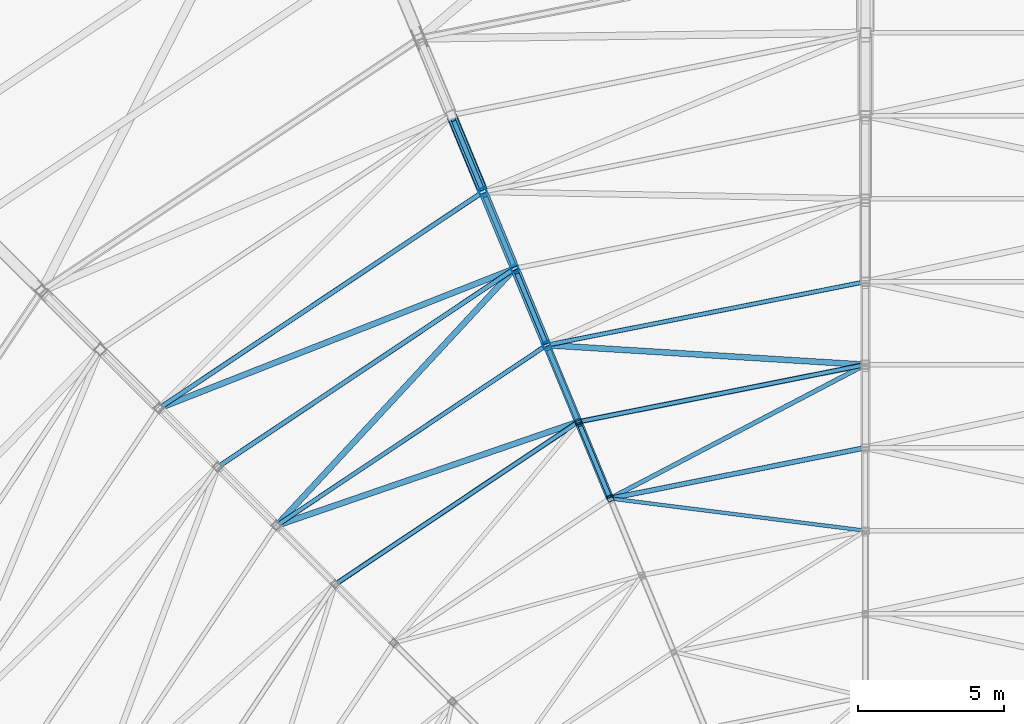
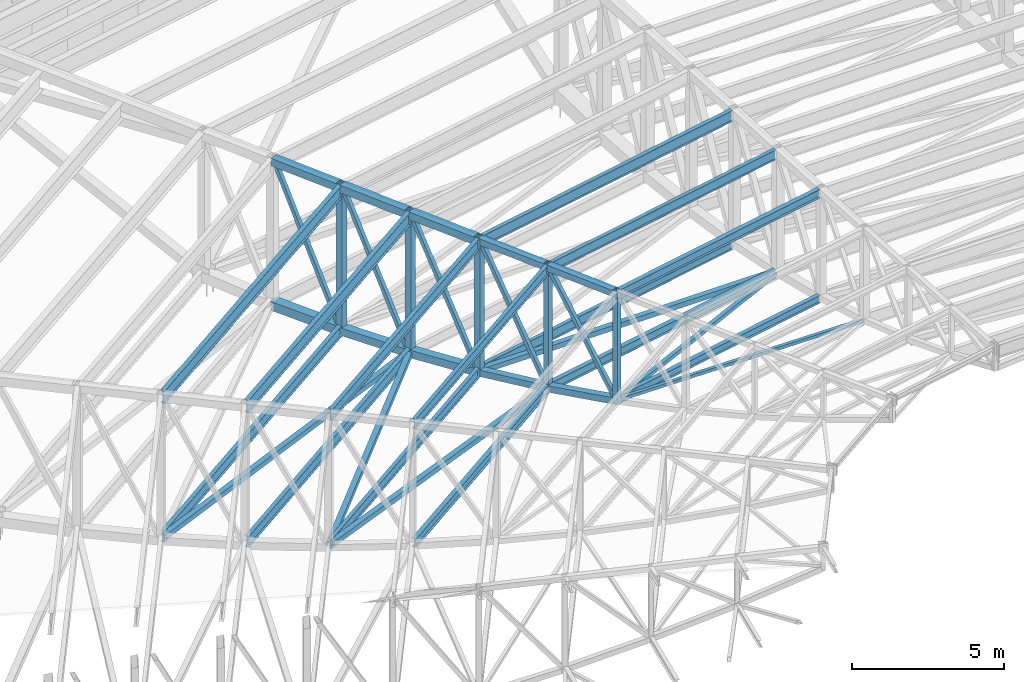
# One storey, part 75 of 278: 25 members, 15 beams.
"""IFC4 building model written with IfcOpenShell, lengths in metres."""

from ifc_helpers import new_model, si_unit, direction, frame, origin, origin_2d, place, context, subcontext, project, spatial, hollow_rectangle, i_section, extrude, material, material_profile, profile_set, type_object, element, save


model = new_model("IFC4")

# Units and contexts
model_context = context("Model", 3, precision=1e-05, world=origin(), true_north=direction((0.0, 1.0)))
body_context = subcontext(model_context, "Body", "Model", "MODEL_VIEW")
ifc_project = project(units=[si_unit("LENGTHUNIT", "METRE"), si_unit("AREAUNIT", "SQUARE_METRE"), si_unit("VOLUMEUNIT", "CUBIC_METRE"), si_unit("PLANEANGLEUNIT", "RADIAN"), si_unit("MASSUNIT", "GRAM", prefix="KILO")], contexts=[model_context])

# Site, building, storey
site_placement = place(None, origin())
site = spatial("IfcSite", under=ifc_project, at=site_placement, CompositionType="ELEMENT")
building_placement = place(site_placement, origin())
building = spatial("IfcBuilding", under=site, at=building_placement, Name="Ogive Plaza Stadium", CompositionType="ELEMENT")
storey_placement = place(building_placement, frame((0.0, 0.0, 29.0)))
storey = spatial("IfcBuildingStorey", under=building, at=storey_placement, Name="Roof", CompositionType="ELEMENT", Elevation=29.0)

# Members
ifc_material_1 = material(Name="Steel ASTM A500 Grade C", Category="steel")
ifc_material_profile_1 = material_profile(ifc_material_1, hollow_rectangle(XDim=0.126953125, YDim=0.126953125, WallThickness=0.005859375, at=origin_2d()), Name="HSS5X5X1/4")
ifc_profile_set_1 = profile_set([ifc_material_profile_1], Name="Steel ASTM A500 Grade C")
member_type_1 = type_object("IfcMemberType", Name="Roof plan brace HSS5X5X1/4", PredefinedType="BRACE", material=ifc_profile_set_1)
member_1_placement = place(storey_placement, frame((-34.079833984375, 72.56005859375, 3.242431640625), z_axis=(-0.987974166898, 0.124778646777, -0.091309007497), x_axis=(-0.125302082787, -0.992118636076, 0.0)))
element("IfcMember", 1, at=member_1_placement, inside=storey, type_object=member_type_1, Name="ROOF BRACE B31 4", PredefinedType="BRACE", context=body_context, shape_type="SweptSolid", body=[
    extrude(hollow_rectangle(XDim=0.126953125, YDim=0.126953125, WallThickness=0.005859375, at=origin_2d()), origin(), (0.0, 0.0, 1.0), 8.665771484375),
])
ifc_material_2 = material(Name="Steel ASTM A500 Grade C", Category="steel")
ifc_material_profile_2 = material_profile(ifc_material_2, hollow_rectangle(XDim=0.15234375, YDim=0.15234375, WallThickness=0.005859375, at=origin_2d()), Name="HSS6X6X1/4")
ifc_profile_set_2 = profile_set([ifc_material_profile_2], Name="Steel ASTM A500 Grade C")
member_type_2 = type_object("IfcMemberType", Name="Roof plan brace HSS6X6X1/4", PredefinedType="BRACE", material=ifc_profile_set_2)
member_2_placement = place(storey_placement, frame((-42.693603515625, 73.693359375, 2.434326171875), z_axis=(0.883462841824, 0.463053945364, -0.071235179498), x_axis=(-0.464233307962, 0.885712953377, 0.0)))
element("IfcMember", 2, at=member_2_placement, inside=storey, type_object=member_type_2, Name="ROOF BRACE B31 5", PredefinedType="BRACE", context=body_context, shape_type="SweptSolid", body=[
    extrude(hollow_rectangle(XDim=0.15234375, YDim=0.15234375, WallThickness=0.005859375, at=origin_2d()), origin(), (0.0, 0.0, 1.0), 9.657958984375),
])
ifc_material_3 = material(Name="Steel ASTM A500 Grade C", Category="steel")
ifc_material_profile_3 = material_profile(ifc_material_3, hollow_rectangle(XDim=0.203125, YDim=0.203125, WallThickness=0.0087890625, at=origin_2d()), Name="HSS8X8X3/8")
ifc_profile_set_3 = profile_set([ifc_material_profile_3], Name="Steel ASTM A500 Grade C")
member_type_3 = type_object("IfcMemberType", Name="Roof plan brace HSS8X8X3/8", PredefinedType="BRACE", material=ifc_profile_set_3)
member_3_placement = place(storey_placement, frame((-43.927978515625, 76.264404296875, 1.729248046875), z_axis=(-0.944427194148, -0.324841491464, -0.050351567781), x_axis=(0.325254058239, -0.945626669251, 0.0)))
element("IfcMember", 3, at=member_3_placement, inside=storey, type_object=member_type_3, Name="ROOF BRACE B30 6", PredefinedType="BRACE", context=body_context, shape_type="SweptSolid", body=[
    extrude(hollow_rectangle(XDim=0.203125, YDim=0.203125, WallThickness=0.0087890625, at=origin_2d()), origin(), (0.0, 0.0, 1.0), 10.739990234375),
])
member_4_placement = place(storey_placement, frame((-54.154541015625, 72.79736328125, 1.176513671875), z_axis=(0.679343772356, 0.732871590616, -0.037299740335), x_axis=(-0.733381934557, 0.679816841557, 0.0)))
element("IfcMember", 4, at=member_4_placement, inside=storey, type_object=member_type_3, Name="ROOF BRACE B30 7", PredefinedType="BRACE", context=body_context, shape_type="SweptSolid", body=[
    extrude(hollow_rectangle(XDim=0.203125, YDim=0.203125, WallThickness=0.0087890625, at=origin_2d()), origin(), (0.0, 0.0, 1.0), 11.794677734375),
])
member_5_placement = place(storey_placement, frame((-46.12744140625, 81.519775390625, 0.728515625), z_axis=(-0.930458154897, -0.365704344988, -0.022537835805), x_axis=(0.365797260887, -0.930694559954, 0.0)))
element("IfcMember", 5, at=member_5_placement, inside=storey, type_object=member_type_3, Name="ROOF BRACE B30 8", PredefinedType="BRACE", context=body_context, shape_type="SweptSolid", body=[
    extrude(hollow_rectangle(XDim=0.203125, YDim=0.203125, WallThickness=0.0087890625, at=origin_2d()), origin(), (0.0, 0.0, 1.0), 12.8798828125),
])
member_6_placement = place(storey_placement, frame((-34.128662109375, 78.2578125, 1.726806640625), z_axis=(-0.996847879298, 0.061302318892, -0.050362001921), x_axis=(-0.061380208582, -0.998114457362, 0.0)))
element("IfcMember", 6, at=member_6_placement, inside=storey, type_object=member_type_3, Name="ROOF BRACE B31 6", PredefinedType="BRACE", context=body_context, shape_type="SweptSolid", body=[
    extrude(hollow_rectangle(XDim=0.203125, YDim=0.203125, WallThickness=0.0087890625, at=origin_2d()), origin(), (0.0, 0.0, 1.0), 10.689208984375),
])
ifc_material_4 = material(Name="Steel ASTM A992 Grade 50", Category="steel")
ifc_material_profile_4 = material_profile(ifc_material_4, i_section(OverallWidth=0.164794921875, OverallDepth=0.310302734375, WebThickness=0.005859375, FlangeThickness=0.009765625, at=origin_2d()), Name="W12X26")
ifc_profile_set_4 = profile_set([ifc_material_profile_4], Name="Steel ASTM A992 Grade 50")
member_type_4 = type_object("IfcMemberType", Name="Roof plan strut W12X26", PredefinedType="STRUT", material=ifc_profile_set_4)
member_7_placement = place(storey_placement, frame((-42.67529296875, 73.67431640625, 2.43994140625), z_axis=(0.980782384623, 0.195104879523, 0.0), x_axis=(-0.195104879523, 0.980782384623, 0.0)))
element("IfcMember", 7, at=member_7_placement, inside=storey, type_object=member_type_4, Name="ROOF STRUT B31 4", PredefinedType="STRUT", context=body_context, shape_type="SweptSolid", body=[
    extrude(i_section(OverallWidth=0.164794921875, OverallDepth=0.310302734375, WebThickness=0.005859375, FlangeThickness=0.009765625, at=origin_2d()), origin(), (0.0, 0.0, 1.0), 8.729248046875),
])
ifc_material_5 = material(Name="Steel ASTM A992 Grade 50", Category="steel")
ifc_material_profile_5 = material_profile(ifc_material_5, i_section(OverallWidth=0.17138671875, OverallDepth=0.35498046875, WebThickness=0.00732421875, FlangeThickness=0.011474609375, at=origin_2d()), Name="W14X34")
ifc_profile_set_5 = profile_set([ifc_material_profile_5], Name="Steel ASTM A992 Grade 50")
member_type_5 = type_object("IfcMemberType", Name="Roof plan strut W14X34", PredefinedType="STRUT", material=ifc_profile_set_5)
member_8_placement = place(storey_placement, frame((-52.132568359375, 70.75830078125, 1.733154296875), z_axis=(0.831467351597, 0.55557361639, 0.0), x_axis=(-0.55557361639, 0.831467351597, 0.0)))
element("IfcMember", 8, at=member_8_placement, inside=storey, type_object=member_type_5, Name="ROOF STRUT B30 5", PredefinedType="STRUT", context=body_context, shape_type="SweptSolid", body=[
    extrude(i_section(OverallWidth=0.17138671875, OverallDepth=0.35498046875, WebThickness=0.00732421875, FlangeThickness=0.011474609375, at=origin_2d()), origin(), (0.0, 0.0, 1.0), 9.86572265625),
])
member_9_placement = place(storey_placement, frame((-43.76513671875, 76.3076171875, 1.733154296875), z_axis=(0.980786798777, 0.19508268848, 0.0), x_axis=(-0.19508268848, 0.980786798777, 0.0)))
element("IfcMember", 9, at=member_9_placement, inside=storey, type_object=member_type_5, Name="ROOF STRUT B31 5", PredefinedType="STRUT", context=body_context, shape_type="SweptSolid", body=[
    extrude(i_section(OverallWidth=0.17138671875, OverallDepth=0.35498046875, WebThickness=0.00732421875, FlangeThickness=0.011474609375, at=origin_2d()), origin(), (0.0, 0.0, 1.0), 9.81396484375),
])
ifc_material_6 = material(Name="Steel ASTM A992 Grade 50", Category="steel")
ifc_material_profile_6 = material_profile(ifc_material_6, i_section(OverallWidth=0.140380859375, OverallDepth=0.4033203125, WebThickness=0.007080078125, FlangeThickness=0.01123046875, at=origin_2d()), Name="W16X31")
ifc_profile_set_6 = profile_set([ifc_material_profile_6], Name="Steel ASTM A992 Grade 50")
member_type_6 = type_object("IfcMemberType", Name="Roof plan strut W16X31", PredefinedType="STRUT", material=ifc_profile_set_6)
member_10_placement = place(storey_placement, frame((-54.12890625, 72.786376953125, 1.180419921875), z_axis=(0.831476080974, 0.555560551847, 0.0), x_axis=(-0.555560551847, 0.831476080974, 0.0)))
element("IfcMember", 10, at=member_10_placement, inside=storey, type_object=member_type_6, Name="ROOF STRUT B30 6", PredefinedType="STRUT", context=body_context, shape_type="SweptSolid", body=[
    extrude(i_section(OverallWidth=0.140380859375, OverallDepth=0.4033203125, WebThickness=0.007080078125, FlangeThickness=0.01123046875, at=origin_2d()), origin(), (0.0, 0.0, 1.0), 10.93212890625),
])
member_11_placement = place(storey_placement, frame((-44.83349609375, 78.945068359375, 1.180419921875), z_axis=(0.980785907738, 0.195087168164, 0.0), x_axis=(-0.195087168164, 0.980785907738, 0.0)))
element("IfcMember", 11, at=member_11_placement, inside=storey, type_object=member_type_6, Name="ROOF STRUT B31 6", PredefinedType="STRUT", context=body_context, shape_type="SweptSolid", body=[
    extrude(i_section(OverallWidth=0.140380859375, OverallDepth=0.4033203125, WebThickness=0.007080078125, FlangeThickness=0.01123046875, at=origin_2d()), origin(), (0.0, 0.0, 1.0), 10.90625),
])
ifc_material_7 = material(Name="Steel ASTM A992 Grade 50", Category="steel")
ifc_material_profile_7 = material_profile(ifc_material_7, i_section(OverallWidth=0.15234375, OverallDepth=0.449462890625, WebThickness=0.007568359375, FlangeThickness=0.0107421875, at=origin_2d()), Name="W18X35")
ifc_profile_set_7 = profile_set([ifc_material_profile_7], Name="Steel ASTM A992 Grade 50")
member_type_7 = type_object("IfcMemberType", Name="Roof plan strut W18X35", PredefinedType="STRUT", material=ifc_profile_set_7)
member_12_placement = place(storey_placement, frame((-56.14306640625, 74.80224609375, 0.730712890625), z_axis=(0.831466560266, 0.555574800687, 0.0), x_axis=(-0.555574800687, 0.831466560266, 0.0)))
element("IfcMember", 12, at=member_12_placement, inside=storey, type_object=member_type_7, Name="ROOF STRUT B30 7", PredefinedType="STRUT", context=body_context, shape_type="SweptSolid", body=[
    extrude(i_section(OverallWidth=0.15234375, OverallDepth=0.449462890625, WebThickness=0.007568359375, FlangeThickness=0.0107421875, at=origin_2d()), origin(), (0.0, 0.0, 1.0), 12.0419921875),
])
member_13_placement = place(storey_placement, frame((-58.158447265625, 76.8173828125, 0.434814453125), z_axis=(0.831461609697, 0.555582209578, 0.0), x_axis=(-0.555582209578, 0.831461609697, 0.0)))
element("IfcMember", 13, at=member_13_placement, inside=storey, type_object=member_type_7, Name="ROOF STRUT B30 8", PredefinedType="STRUT", context=body_context, shape_type="SweptSolid", body=[
    extrude(i_section(OverallWidth=0.15234375, OverallDepth=0.449462890625, WebThickness=0.007568359375, FlangeThickness=0.0107421875, at=origin_2d()), origin(), (0.0, 0.0, 1.0), 13.154052734375),
])
ifc_material_8 = material(Name="Steel ASTM A992 Grade 50", Category="steel")
ifc_material_profile_8 = material_profile(ifc_material_8, i_section(OverallWidth=0.17138671875, OverallDepth=0.35498046875, WebThickness=0.00732421875, FlangeThickness=0.011474609375, at=origin_2d()), Name="W14X34")
ifc_profile_set_8 = profile_set([ifc_material_profile_8], Name="Steel ASTM A992 Grade 50")
member_type_8 = type_object("IfcMemberType", Name="Roof purlin W14X34", PredefinedType="PURLIN", material=ifc_profile_set_8)
member_14_placement = place(storey_placement, frame((-42.674560546875, 73.674560546875, 6.677490234375), z_axis=(0.980787765569, 0.195077827826, 0.0), x_axis=(-0.195077827826, 0.980787765569, 0.0)))
element("IfcMember", 14, at=member_14_placement, inside=storey, type_object=member_type_8, Name="ROOF PURLIN B31 4", PredefinedType="PURLIN", context=body_context, shape_type="SweptSolid", body=[
    extrude(i_section(OverallWidth=0.17138671875, OverallDepth=0.35498046875, WebThickness=0.00732421875, FlangeThickness=0.011474609375, at=origin_2d()), origin(), (0.0, 0.0, 1.0), 8.72802734375),
])
ifc_material_9 = material(Name="Steel ASTM A992 Grade 50", Category="steel")
ifc_material_profile_9 = material_profile(ifc_material_9, i_section(OverallWidth=0.140380859375, OverallDepth=0.4033203125, WebThickness=0.007080078125, FlangeThickness=0.01123046875, at=origin_2d()), Name="W16X31")
ifc_profile_set_9 = profile_set([ifc_material_profile_9], Name="Steel ASTM A992 Grade 50")
member_type_9 = type_object("IfcMemberType", Name="Roof purlin W16X31", PredefinedType="PURLIN", material=ifc_profile_set_9)
member_15_placement = place(storey_placement, frame((-52.13525390625, 70.756591796875, 6.5107421875), z_axis=(0.831467715739, 0.555573071416, 0.0), x_axis=(-0.555573071416, 0.831467715739, 0.0)))
element("IfcMember", 15, at=member_15_placement, inside=storey, type_object=member_type_9, Name="ROOF PURLIN B30 5", PredefinedType="PURLIN", context=body_context, shape_type="SweptSolid", body=[
    extrude(i_section(OverallWidth=0.140380859375, OverallDepth=0.4033203125, WebThickness=0.007080078125, FlangeThickness=0.01123046875, at=origin_2d()), origin(), (0.0, 0.0, 1.0), 9.8720703125),
])
member_16_placement = place(storey_placement, frame((-43.768310546875, 76.306884765625, 6.5107421875), z_axis=(0.980781911446, 0.195107258144, 0.0), x_axis=(-0.195107258144, 0.980781911446, 0.0)))
element("IfcMember", 16, at=member_16_placement, inside=storey, type_object=member_type_9, Name="ROOF PURLIN B31 5", PredefinedType="PURLIN", context=body_context, shape_type="SweptSolid", body=[
    extrude(i_section(OverallWidth=0.140380859375, OverallDepth=0.4033203125, WebThickness=0.007080078125, FlangeThickness=0.01123046875, at=origin_2d()), origin(), (0.0, 0.0, 1.0), 9.8203125),
])
ifc_material_10 = material(Name="Steel ASTM A992 Grade 50", Category="steel")
ifc_material_profile_10 = material_profile(ifc_material_10, i_section(OverallWidth=0.15234375, OverallDepth=0.449462890625, WebThickness=0.007568359375, FlangeThickness=0.0107421875, at=origin_2d()), Name="W18X35")
ifc_profile_set_10 = profile_set([ifc_material_profile_10], Name="Steel ASTM A992 Grade 50")
member_type_10 = type_object("IfcMemberType", Name="Roof purlin W18X35", PredefinedType="PURLIN", material=ifc_profile_set_10)
member_17_placement = place(storey_placement, frame((-54.1279296875, 72.786865234375, 6.34521484375), z_axis=(0.831462199803, 0.555581326448, 0.0), x_axis=(-0.555581326448, 0.831462199803, 0.0)))
element("IfcMember", 17, at=member_17_placement, inside=storey, type_object=member_type_10, Name="ROOF PURLIN B30 6", PredefinedType="PURLIN", context=body_context, shape_type="SweptSolid", body=[
    extrude(i_section(OverallWidth=0.15234375, OverallDepth=0.449462890625, WebThickness=0.007568359375, FlangeThickness=0.0107421875, at=origin_2d()), origin(), (0.0, 0.0, 1.0), 10.929931640625),
])
member_18_placement = place(storey_placement, frame((-44.832275390625, 78.9453125, 6.34521484375), z_axis=(0.980785954477, 0.195086933188, 0.0), x_axis=(-0.195086933188, 0.980785954477, 0.0)))
element("IfcMember", 18, at=member_18_placement, inside=storey, type_object=member_type_10, Name="ROOF PURLIN B31 6", PredefinedType="PURLIN", context=body_context, shape_type="SweptSolid", body=[
    extrude(i_section(OverallWidth=0.15234375, OverallDepth=0.449462890625, WebThickness=0.007568359375, FlangeThickness=0.0107421875, at=origin_2d()), origin(), (0.0, 0.0, 1.0), 10.90380859375),
])
ifc_material_11 = material(Name="Steel ASTM A992 Grade 50", Category="steel")
ifc_material_profile_11 = material_profile(ifc_material_11, i_section(OverallWidth=0.1650390625, OverallDepth=0.524658203125, WebThickness=0.0087890625, FlangeThickness=0.011474609375, at=origin_2d()), Name="W21X44")
ifc_profile_set_11 = profile_set([ifc_material_profile_11], Name="Steel ASTM A992 Grade 50")
member_type_11 = type_object("IfcMemberType", Name="Roof purlin W21X44", PredefinedType="PURLIN", material=ifc_profile_set_11)
member_19_placement = place(storey_placement, frame((-56.14208984375, 74.802978515625, 6.1650390625), z_axis=(0.831466432125, 0.555574992462, 0.0), x_axis=(-0.555574992462, 0.831466432125, 0.0)))
element("IfcMember", 19, at=member_19_placement, inside=storey, type_object=member_type_11, Name="ROOF PURLIN B30 7", PredefinedType="PURLIN", context=body_context, shape_type="SweptSolid", body=[
    extrude(i_section(OverallWidth=0.1650390625, OverallDepth=0.524658203125, WebThickness=0.0087890625, FlangeThickness=0.011474609375, at=origin_2d()), origin(), (0.0, 0.0, 1.0), 12.039306640625),
])
member_20_placement = place(storey_placement, frame((-58.157470703125, 76.818115234375, 6.022705078125), z_axis=(0.831467221436, 0.555573811188, 0.0), x_axis=(-0.555573811188, 0.831467221436, 0.0)))
element("IfcMember", 20, at=member_20_placement, inside=storey, type_object=member_type_11, Name="ROOF PURLIN B30 8", PredefinedType="PURLIN", context=body_context, shape_type="SweptSolid", body=[
    extrude(i_section(OverallWidth=0.1650390625, OverallDepth=0.524658203125, WebThickness=0.0087890625, FlangeThickness=0.011474609375, at=origin_2d()), origin(), (0.0, 0.0, 1.0), 13.151611328125),
])

# Beams
ifc_material_12 = material(Name="Steel ASTM A500 Grade C", Category="steel")
ifc_material_profile_12 = material_profile(ifc_material_12, hollow_rectangle(XDim=0.25390625, YDim=0.25390625, WallThickness=0.01171875, at=origin_2d()), Name="HSS10X10X1/2")
ifc_profile_set_12 = profile_set([ifc_material_profile_12], Name="Steel ASTM A500 Grade C")
beam_type_1 = type_object("IfcBeamType", Name="Roof truss bottom chord HSS10X10X1/2", PredefinedType="BEAM", material=ifc_profile_set_12)
beam_1_placement = place(storey_placement, frame((-42.779541015625, 73.695556640625, 2.433349609375), z_axis=(-0.371439859665, 0.89673257633, -0.240630665544), x_axis=(-0.923879144677, -0.382684368678, 0.0)))
element("IfcBeam", 21, at=beam_1_placement, inside=storey, type_object=beam_type_1, Name="ROOF TRUSS T31 BOTTOM CHORD 5", PredefinedType="BEAM", context=body_context, shape_type="SweptSolid", body=[
    extrude(hollow_rectangle(XDim=0.25390625, YDim=0.25390625, WallThickness=0.01171875, at=origin_2d()), origin(), (0.0, 0.0, 1.0), 2.849853515625),
])
beam_2_placement = place(storey_placement, frame((-43.8720703125, 76.333251953125, 1.726318359375), z_axis=(-0.375020513968, 0.905437709043, -0.198852128843), x_axis=(-0.923888213913, -0.382662472935, 0.0)))
element("IfcBeam", 22, at=beam_2_placement, inside=storey, type_object=beam_type_1, Name="ROOF TRUSS T31 BOTTOM CHORD 6", PredefinedType="BEAM", context=body_context, shape_type="SweptSolid", body=[
    extrude(hollow_rectangle(XDim=0.25390625, YDim=0.25390625, WallThickness=0.01171875, at=origin_2d()), origin(), (0.0, 0.0, 1.0), 2.80908203125),
])
ifc_material_13 = material(Name="Steel ASTM A500 Grade C", Category="steel")
ifc_material_profile_13 = material_profile(ifc_material_13, hollow_rectangle(XDim=0.3046875, YDim=0.3046875, WallThickness=0.0146484375, at=origin_2d()), Name="HSS12X12X5/8")
ifc_profile_set_13 = profile_set([ifc_material_profile_13], Name="Steel ASTM A500 Grade C")
beam_type_2 = type_object("IfcBeamType", Name="Roof truss bottom chord HSS12X12X5/8", PredefinedType="BEAM", material=ifc_profile_set_13)
beam_3_placement = place(storey_placement, frame((-44.9638671875, 78.96923828125, 1.17431640625), z_axis=(-0.378060038258, 0.912570809119, -0.15583685641), x_axis=(-0.923857757469, -0.382735997737, 0.0)))
element("IfcBeam", 23, at=beam_3_placement, inside=storey, type_object=beam_type_2, Name="ROOF TRUSS T31 BOTTOM CHORD 7", PredefinedType="BEAM", context=body_context, shape_type="SweptSolid", body=[
    extrude(hollow_rectangle(XDim=0.3046875, YDim=0.3046875, WallThickness=0.0146484375, at=origin_2d()), origin(), (0.0, 0.0, 1.0), 2.783935546875),
])
beam_4_placement = place(storey_placement, frame((-46.054443359375, 81.602294921875, 0.72607421875), z_axis=(-0.380326079208, 0.918040635639, -0.112042245557), x_axis=(-0.923857757469, -0.382735997737, 0.0)))
element("IfcBeam", 24, at=beam_4_placement, inside=storey, type_object=beam_type_2, Name="ROOF TRUSS T31 BOTTOM CHORD 8", PredefinedType="BEAM", context=body_context, shape_type="SweptSolid", body=[
    extrude(hollow_rectangle(XDim=0.3046875, YDim=0.3046875, WallThickness=0.0146484375, at=origin_2d()), origin(), (0.0, 0.0, 1.0), 2.767333984375),
])
ifc_material_14 = material(Name="Steel ASTM A500 Grade C", Category="steel")
ifc_material_profile_14 = material_profile(ifc_material_14, hollow_rectangle(XDim=0.355712890625, YDim=0.355712890625, WallThickness=0.0146484375, at=origin_2d()), Name="HSS14X14X5/8")
ifc_profile_set_14 = profile_set([ifc_material_profile_14], Name="Steel ASTM A500 Grade C")
beam_type_3 = type_object("IfcBeamType", Name="Roof truss bottom chord HSS14X14X5/8", PredefinedType="BEAM", material=ifc_profile_set_14)
beam_5_placement = place(storey_placement, frame((-47.145263671875, 84.2353515625, 0.431884765625), z_axis=(-0.381787492455, 0.92178205255, -0.067499320012), x_axis=(-0.923889147914, -0.382660217904, 0.0)))
element("IfcBeam", 25, at=beam_5_placement, inside=storey, type_object=beam_type_3, Name="ROOF TRUSS T31 BOTTOM CHORD 9", PredefinedType="BEAM", context=body_context, shape_type="SweptSolid", body=[
    extrude(hollow_rectangle(XDim=0.355712890625, YDim=0.355712890625, WallThickness=0.0146484375, at=origin_2d()), origin(), (0.0, 0.0, 1.0), 2.756103515625),
])

# Members
ifc_material_15 = material(Name="Steel ASTM A500 Grade C", Category="steel")
ifc_material_profile_15 = material_profile(ifc_material_15, hollow_rectangle(XDim=0.15234375, YDim=0.15234375, WallThickness=0.005859375, at=origin_2d()), Name="HSS6X6X1/4")
ifc_profile_set_15 = profile_set([ifc_material_profile_15], Name="Steel ASTM A500 Grade C")
member_type_12 = type_object("IfcMemberType", Name="Roof truss diagonal HSS6X6X1/4", PredefinedType="BRACE", material=ifc_profile_set_15)
member_21_placement = place(storey_placement, frame((-42.80224609375, 73.750732421875, 2.56689453125), z_axis=(-0.215226146856, 0.519572207016, 0.826875097827), x_axis=(-0.923871804697, -0.382702088427, 0.0)))
element("IfcMember", 26, at=member_21_placement, inside=storey, type_object=member_type_12, Name="ROOF TRUSS T31 DIAGONAL 5", PredefinedType="BRACE", context=body_context, shape_type="SweptSolid", body=[
    extrude(hollow_rectangle(XDim=0.15234375, YDim=0.15234375, WallThickness=0.005859375, at=origin_2d()), origin(), (0.0, 0.0, 1.0), 4.706298828125),
])
ifc_material_16 = material(Name="Steel ASTM A500 Grade C", Category="steel")
ifc_material_profile_16 = material_profile(ifc_material_16, hollow_rectangle(XDim=0.15234375, YDim=0.15234375, WallThickness=0.0087890625, at=origin_2d()), Name="HSS6X6X3/8")
ifc_profile_set_16 = profile_set([ifc_material_profile_16], Name="Steel ASTM A500 Grade C")
member_type_13 = type_object("IfcMemberType", Name="Roof truss diagonal HSS6X6X3/8", PredefinedType="BRACE", material=ifc_profile_set_16)
member_22_placement = place(storey_placement, frame((-43.89306640625, 76.3837890625, 1.8603515625), z_axis=(-0.194055612203, 0.468491524227, 0.861892169067), x_axis=(-0.923879484396, -0.382683548526, 0.0)))
element("IfcMember", 27, at=member_22_placement, inside=storey, type_object=member_type_13, Name="ROOF TRUSS T31 DIAGONAL 6", PredefinedType="BRACE", context=body_context, shape_type="SweptSolid", body=[
    extrude(hollow_rectangle(XDim=0.15234375, YDim=0.15234375, WallThickness=0.0087890625, at=origin_2d()), origin(), (0.0, 0.0, 1.0), 5.16943359375),
])
member_23_placement = place(storey_placement, frame((-44.993408203125, 79.040283203125, 1.332763671875), z_axis=(-0.18233402805, 0.440218602007, 0.879182509302), x_axis=(-0.923887313935, -0.382664645806, 0.0)))
element("IfcMember", 28, at=member_23_placement, inside=storey, type_object=member_type_13, Name="ROOF TRUSS T31 DIAGONAL 7", PredefinedType="BRACE", context=body_context, shape_type="SweptSolid", body=[
    extrude(hollow_rectangle(XDim=0.15234375, YDim=0.15234375, WallThickness=0.0087890625, at=origin_2d()), origin(), (0.0, 0.0, 1.0), 5.4482421875),
])
member_24_placement = place(storey_placement, frame((-46.083984375, 81.67333984375, 0.883056640625), z_axis=(-0.17366723306, 0.419293904541, 0.891084908287), x_axis=(-0.923887313935, -0.382664645806, 0.0)))
element("IfcMember", 29, at=member_24_placement, inside=storey, type_object=member_type_13, Name="ROOF TRUSS T31 DIAGONAL 8", PredefinedType="BRACE", context=body_context, shape_type="SweptSolid", body=[
    extrude(hollow_rectangle(XDim=0.15234375, YDim=0.15234375, WallThickness=0.0087890625, at=origin_2d()), origin(), (0.0, 0.0, 1.0), 5.72021484375),
])
member_25_placement = place(storey_placement, frame((-47.174560546875, 84.306396484375, 0.612548828125), z_axis=(-0.168958194197, 0.407847472246, 0.897281208984), x_axis=(-0.923861720222, -0.382726432205, 0.0)))
element("IfcMember", 30, at=member_25_placement, inside=storey, type_object=member_type_13, Name="ROOF TRUSS T31 DIAGONAL 9", PredefinedType="BRACE", context=body_context, shape_type="SweptSolid", body=[
    extrude(hollow_rectangle(XDim=0.15234375, YDim=0.15234375, WallThickness=0.0087890625, at=origin_2d()), origin(), (0.0, 0.0, 1.0), 5.8232421875),
])

# Beams
ifc_material_17 = material(Name="Steel ASTM A500 Grade C", Category="steel")
ifc_material_profile_17 = material_profile(ifc_material_17, hollow_rectangle(XDim=0.25390625, YDim=0.25390625, WallThickness=0.01171875, at=origin_2d()), Name="HSS10X10X1/2")
ifc_profile_set_17 = profile_set([ifc_material_profile_17], Name="Steel ASTM A500 Grade C")
beam_type_4 = type_object("IfcBeamType", Name="Roof truss post HSS10X10X1/2", PredefinedType="BEAM", material=ifc_profile_set_17)
beam_6_placement = place(storey_placement, frame((-44.94482421875, 78.9228515625, 1.028076171875), z_axis=(0.0, 0.0, 1.0), x_axis=(-0.923879532511, -0.382683432365, 0.0)))
element("IfcBeam", 31, at=beam_6_placement, inside=storey, type_object=beam_type_4, Name="ROOF TRUSS T31 POST 7", PredefinedType="BEAM", context=body_context, shape_type="SweptSolid", body=[
    extrude(hollow_rectangle(XDim=0.25390625, YDim=0.25390625, WallThickness=0.01171875, at=origin_2d()), origin(), (0.0, 0.0, 1.0), 5.5419921875),
])
beam_7_placement = place(storey_placement, frame((-46.035400390625, 81.555908203125, 0.578369140625), z_axis=(0.0, 0.0, 1.0), x_axis=(-0.923879532511, -0.382683432365, 0.0)))
element("IfcBeam", 32, at=beam_7_placement, inside=storey, type_object=beam_type_4, Name="ROOF TRUSS T31 POST 8", PredefinedType="BEAM", context=body_context, shape_type="SweptSolid", body=[
    extrude(hollow_rectangle(XDim=0.25390625, YDim=0.25390625, WallThickness=0.01171875, at=origin_2d()), origin(), (0.0, 0.0, 1.0), 5.84912109375),
])
beam_8_placement = place(storey_placement, frame((-47.1259765625, 84.18896484375, 0.257080078125), z_axis=(0.0, 0.0, 1.0), x_axis=(-0.923879532511, -0.382683432365, 0.0)))
element("IfcBeam", 33, at=beam_8_placement, inside=storey, type_object=beam_type_4, Name="ROOF TRUSS T31 POST 9", PredefinedType="BEAM", context=body_context, shape_type="SweptSolid", body=[
    extrude(hollow_rectangle(XDim=0.25390625, YDim=0.25390625, WallThickness=0.01171875, at=origin_2d()), origin(), (0.0, 0.0, 1.0), 6.02783203125),
])
ifc_material_18 = material(Name="Steel ASTM A500 Grade C", Category="steel")
ifc_material_profile_18 = material_profile(ifc_material_18, hollow_rectangle(XDim=0.203125, YDim=0.203125, WallThickness=0.0087890625, at=origin_2d()), Name="HSS8X8X3/8")
ifc_profile_set_18 = profile_set([ifc_material_profile_18], Name="Steel ASTM A500 Grade C")
beam_type_5 = type_object("IfcBeamType", Name="Roof truss post HSS8X8X3/8", PredefinedType="BEAM", material=ifc_profile_set_18)
beam_9_placement = place(storey_placement, frame((-42.763427734375, 73.65673828125, 2.31298828125), z_axis=(0.0, 0.0, 1.0), x_axis=(-0.923879532511, -0.382683432365, 0.0)))
element("IfcBeam", 34, at=beam_9_placement, inside=storey, type_object=beam_type_5, Name="ROOF TRUSS T31 POST 5", PredefinedType="BEAM", context=body_context, shape_type="SweptSolid", body=[
    extrude(hollow_rectangle(XDim=0.203125, YDim=0.203125, WallThickness=0.0087890625, at=origin_2d()), origin(), (0.0, 0.0, 1.0), 4.5419921875),
])
beam_10_placement = place(storey_placement, frame((-43.85400390625, 76.289794921875, 1.606201171875), z_axis=(0.0, 0.0, 1.0), x_axis=(-0.923879532511, -0.382683432365, 0.0)))
element("IfcBeam", 35, at=beam_10_placement, inside=storey, type_object=beam_type_5, Name="ROOF TRUSS T31 POST 6", PredefinedType="BEAM", context=body_context, shape_type="SweptSolid", body=[
    extrude(hollow_rectangle(XDim=0.203125, YDim=0.203125, WallThickness=0.0087890625, at=origin_2d()), origin(), (0.0, 0.0, 1.0), 5.106201171875),
])
ifc_material_19 = material(Name="Steel ASTM A500 Grade C", Category="steel")
ifc_material_profile_19 = material_profile(ifc_material_19, hollow_rectangle(XDim=0.25390625, YDim=0.25390625, WallThickness=0.0087890625, at=origin_2d()), Name="HSS10X10X3/8")
ifc_profile_set_19 = profile_set([ifc_material_profile_19], Name="Steel ASTM A500 Grade C")
beam_type_6 = type_object("IfcBeamType", Name="Roof truss top chord HSS10X10X3/8", PredefinedType="BEAM", material=ifc_profile_set_19)
beam_11_placement = place(storey_placement, frame((-42.782470703125, 73.703125, 6.725341796875), z_axis=(-0.382258780814, 0.922705839284, -0.049921524843), x_axis=(-0.923857757469, -0.382735997737, 0.0)))
element("IfcBeam", 36, at=beam_11_placement, inside=storey, type_object=beam_type_6, Name="ROOF TRUSS T31 TOP CHORD 5", PredefinedType="BEAM", context=body_context, shape_type="SweptSolid", body=[
    extrude(hollow_rectangle(XDim=0.25390625, YDim=0.25390625, WallThickness=0.0087890625, at=origin_2d()), origin(), (0.0, 0.0, 1.0), 2.75341796875),
])
beam_12_placement = place(storey_placement, frame((-43.873291015625, 76.336181640625, 6.582763671875), z_axis=(-0.382183063105, 0.922737112453, -0.049923216828), x_axis=(-0.923889147914, -0.382660217904, 0.0)))
element("IfcBeam", 37, at=beam_12_placement, inside=storey, type_object=beam_type_6, Name="ROOF TRUSS T31 TOP CHORD 6", PredefinedType="BEAM", context=body_context, shape_type="SweptSolid", body=[
    extrude(hollow_rectangle(XDim=0.25390625, YDim=0.25390625, WallThickness=0.0087890625, at=origin_2d()), origin(), (0.0, 0.0, 1.0), 2.753173828125),
])
ifc_material_20 = material(Name="Steel ASTM A500 Grade C", Category="steel")
ifc_material_profile_20 = material_profile(ifc_material_20, hollow_rectangle(XDim=0.3046875, YDim=0.3046875, WallThickness=0.01171875, at=origin_2d()), Name="HSS12X12X1/2")
ifc_profile_set_20 = profile_set([ifc_material_profile_20], Name="Steel ASTM A500 Grade C")
beam_type_7 = type_object("IfcBeamType", Name="Roof truss top chord HSS12X12X1/2", PredefinedType="BEAM", material=ifc_profile_set_20)
beam_13_placement = place(storey_placement, frame((-47.145263671875, 84.2353515625, 6.1298828125), z_axis=(-0.382183063105, 0.922737112453, -0.049923216828), x_axis=(-0.923889147914, -0.382660217904, 0.0)))
element("IfcBeam", 38, at=beam_13_placement, inside=storey, type_object=beam_type_7, Name="ROOF TRUSS T31 TOP CHORD 9", PredefinedType="BEAM", context=body_context, shape_type="SweptSolid", body=[
    extrude(hollow_rectangle(XDim=0.3046875, YDim=0.3046875, WallThickness=0.01171875, at=origin_2d()), origin(), (0.0, 0.0, 1.0), 2.753173828125),
])
ifc_material_21 = material(Name="Steel ASTM A500 Grade C", Category="steel")
ifc_material_profile_21 = material_profile(ifc_material_21, hollow_rectangle(XDim=0.3046875, YDim=0.3046875, WallThickness=0.0087890625, at=origin_2d()), Name="HSS12X12X3/8")
ifc_profile_set_21 = profile_set([ifc_material_profile_21], Name="Steel ASTM A500 Grade C")
beam_type_8 = type_object("IfcBeamType", Name="Roof truss top chord HSS12X12X3/8", PredefinedType="BEAM", material=ifc_profile_set_21)
for number, where, z_axis, x_axis, name in (
    (39, (-44.9638671875, 78.96923828125, 6.414794921875), (-0.382258780814, 0.922705839284, -0.049921524843), (-0.923857757469, -0.382735997737, 0.0), "ROOF TRUSS T31 TOP CHORD 7"),
    (40, (-46.054443359375, 81.602294921875, 6.2724609375), (-0.382258780814, 0.922705839284, -0.049921524843), (-0.923857757469, -0.382735997737, 0.0), "ROOF TRUSS T31 TOP CHORD 8"),
):
    element("IfcBeam", number, at=place(storey_placement, frame(where, z_axis=z_axis, x_axis=x_axis)), inside=storey, type_object=beam_type_8, Name=name, PredefinedType="BEAM", context=body_context, shape_type="SweptSolid", body=[
        extrude(hollow_rectangle(XDim=0.3046875, YDim=0.3046875, WallThickness=0.0087890625, at=origin_2d()), origin(), (0.0, 0.0, 1.0), 2.75341796875),
    ])

save(model, "model.ifc")
